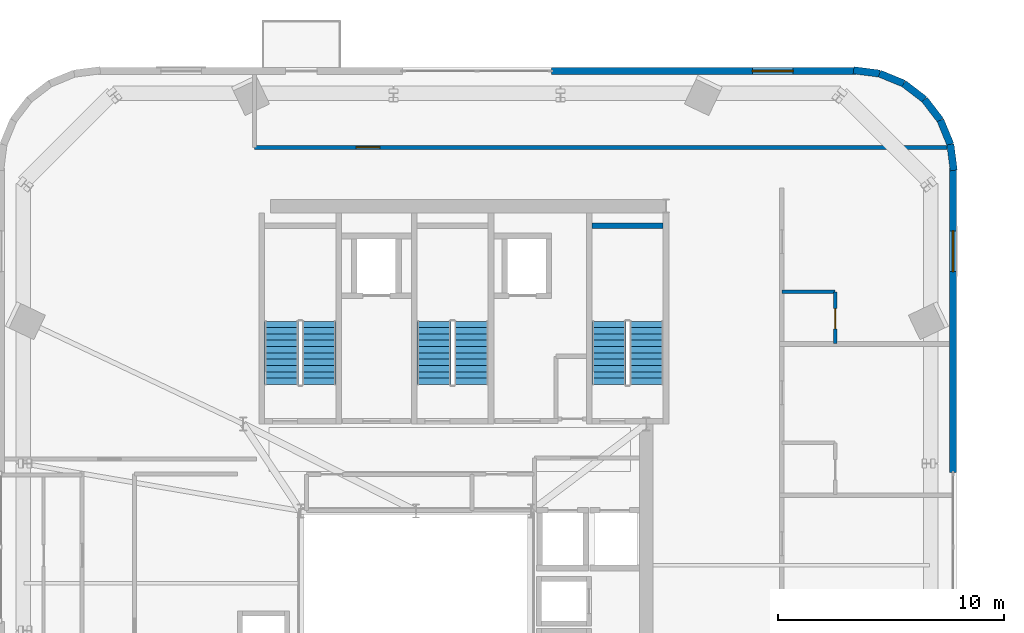
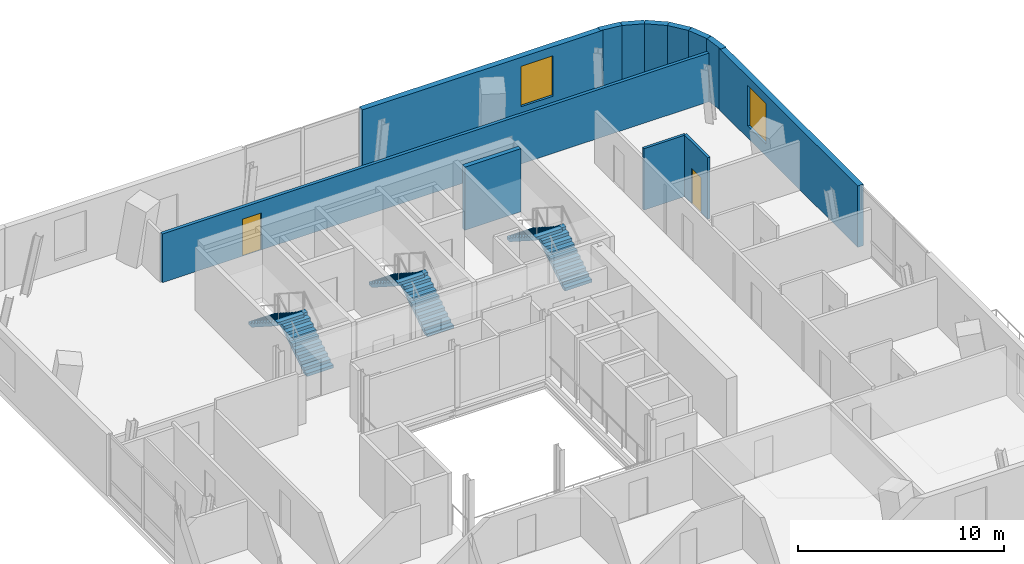
# One storey, part 9 of 14: 12 walls, 6 stair flights, 2 doors, 2 windows, 4 openings, 3 elements without a shape of their own.
"""IFC4 building model written with IfcOpenShell, lengths in metres."""

from ifc_helpers import new_model, si_unit, direction, frame, frame_2d, origin, place, context, subcontext, project, spatial, polyline, rectangle, outline, extrude, source, transform, mapped, material, layer, layer_set, type_object, element, fill, aggregate, save


model = new_model("IFC4")

# Units and contexts
model_context = context("Model", 3, precision=1e-05, world=origin(), true_north=direction((0.0, 1.0)))
body_context = subcontext(model_context, "Body", "Model", "MODEL_VIEW")
ifc_project = project(units=[si_unit("LENGTHUNIT", "METRE"), si_unit("AREAUNIT", "SQUARE_METRE"), si_unit("VOLUMEUNIT", "CUBIC_METRE"), si_unit("PLANEANGLEUNIT", "RADIAN"), si_unit("MASSUNIT", "GRAM", prefix="KILO")], contexts=[model_context])

# Site, building, storey
site_placement = place(None, origin())
site = spatial("IfcSite", under=ifc_project, at=site_placement, CompositionType="ELEMENT")
building_placement = place(site_placement, origin())
building = spatial("IfcBuilding", under=site, at=building_placement, Name="Vardaveli Station Tower", CompositionType="ELEMENT")
storey_placement = place(building_placement, frame((0.0, 0.0, 270.35009765625)))
storey = spatial("IfcBuildingStorey", under=building, at=storey_placement, Name="L69", CompositionType="ELEMENT", Elevation=270.35009765625)

# Wall, opening, window
ifc_material_1 = material(Name="Precast concrete C45/55", Category="concrete")
ifc_layer_1 = layer(ifc_material_1, 0.320068359375, Name="Precast concrete C45/55")
ifc_layer_set_1 = layer_set([ifc_layer_1], Name="Precast concrete C45/55")
wall_type_1 = type_object("IfcWallType", Name="WAL-EXT-STONE-320", PredefinedType="SOLIDWALL", material=ifc_layer_set_1)
shared_shape_1 = source(origin(), body_context, "Body", "SweptSolid", [
    extrude(rectangle(XDim=13.47998046875, YDim=0.320068359375, at=frame_2d((6.739990234375, 0.0))), origin(), (0.0, 0.0, 1.0), 3.64990234375),
])
wall_1_placement = place(storey_placement, frame((55.780029296875, 46.280029296875, 0.0), z_axis=(0.0, 0.0, 1.0), x_axis=(-1.0, 0.0, 0.0)))
wall_1 = element("IfcWall", 1, at=wall_1_placement, inside=storey, type_object=wall_type_1, Name="EW-L69-N1", PredefinedType="SOLIDWALL", context=body_context, shape_type="MappedRepresentation", body=[
    mapped(shared_shape_1, transform((0.0, 0.0, 0.0), scale=1.0)),
])
shared_shape_2 = source(origin(), body_context, "Body", "SweptSolid", [
    extrude(rectangle(XDim=1.800048828125, YDim=2.39990234375, at=frame_2d((0.89990234375, 1.199951171875))), frame((0.0, 0.169921875, 0.0), z_axis=(0.0, -1.0, 0.0), x_axis=(1.0, 0.0, 0.0)), (0.0, 0.0, 1.0), 0.340087890625),
])
opening_1_placement = place(wall_1_placement, frame((2.781005859375, 0.0, 0.719970703125)))
opening_1 = element("IfcOpeningElement", 2, at=opening_1_placement, cuts=wall_1, Name="Opening W-05", PredefinedType="OPENING", context=body_context, shape_type="MappedRepresentation", body=[
    mapped(shared_shape_2, transform((0.0, 0.0, 0.0), scale=1.0)),
])
ifc_material_2 = material(Name="Low-E solar-control glass", Category="glass")
window_type = type_object("IfcWindowType", Name="WIN-HIGH-1800x2400", PartitioningType="SINGLE_PANEL", PredefinedType="WINDOW", material=ifc_material_2)
shared_shape_3 = source(origin(), body_context, "Body", "SweptSolid", [
    extrude(rectangle(XDim=1.800048828125, YDim=2.39990234375, at=frame_2d((0.89990234375, 1.199951171875))), frame((0.0, 0.030029296875, 0.0), z_axis=(0.0, -1.0, 0.0), x_axis=(1.0, 0.0, 0.0)), (0.0, 0.0, 1.0), 0.06005859375),
])
window_1_placement = place(opening_1_placement, origin())
window_1 = element("IfcWindow", 3, at=window_1_placement, inside=storey, type_object=window_type, Name="WN-L69-N1", OverallHeight=2.39990234375, OverallWidth=1.800048828125, PartitioningType="SINGLE_PANEL", PredefinedType="WINDOW", context=body_context, shape_type="MappedRepresentation", body=[
    mapped(shared_shape_3, transform((0.0, 0.0, 0.0), scale=1.0)),
])
fill(opening_1, window_1)

wall_2_placement = place(storey_placement, frame((60.080078125, 28.5, 0.0), z_axis=(0.0, 0.0, 1.0), x_axis=(0.0, 1.0, 0.0)))
wall_2 = element("IfcWall", 4, at=wall_2_placement, inside=storey, type_object=wall_type_1, Name="EW-L69-E2", PredefinedType="SOLIDWALL", context=body_context, shape_type="MappedRepresentation", body=[
    mapped(shared_shape_1, transform((0.0, 0.0, 0.0), scale=1.0)),
])
opening_2_placement = place(wall_2_placement, frame((8.89892578125, 0.0, 0.719970703125)))
opening_2 = element("IfcOpeningElement", 5, at=opening_2_placement, cuts=wall_2, Name="Opening W-05", PredefinedType="OPENING", context=body_context, shape_type="MappedRepresentation", body=[
    mapped(shared_shape_2, transform((0.0, 0.0, 0.0), scale=1.0)),
])
window_2_placement = place(opening_2_placement, origin())
window_2 = element("IfcWindow", 6, at=window_2_placement, inside=storey, type_object=window_type, Name="WN-L69-E2", OverallHeight=2.39990234375, OverallWidth=1.800048828125, PartitioningType="SINGLE_PANEL", PredefinedType="WINDOW", context=body_context, shape_type="MappedRepresentation", body=[
    mapped(shared_shape_3, transform((0.0, 0.0, 0.0), scale=1.0)),
])
fill(opening_2, window_2)

# Walls
shared_shape_4 = source(origin(), body_context, "Body", "SweptSolid", [
    extrude(rectangle(XDim=1.159423828125, YDim=0.320068359375, at=frame_2d((0.57958984375, 0.0))), origin(), (0.0, 0.0, 1.0), 3.64990234375),
])
wall_3_placement = place(storey_placement, frame((60.114501953125, 41.880859375, 0.0), z_axis=(0.0, 0.0, 1.0), x_axis=(-0.128024787431, 0.991770968421, 0.0)))
element("IfcWall", 7, at=wall_3_placement, inside=storey, type_object=wall_type_1, Name="EW-L69-CR3-1", PredefinedType="SOLIDWALL", context=body_context, shape_type="MappedRepresentation", body=[
    mapped(shared_shape_4, transform((0.0, 0.0, 0.0), scale=1.0)),
])
shared_shape_5 = source(origin(), body_context, "Body", "SweptSolid", [
    extrude(rectangle(XDim=1.158447265625, YDim=0.320068359375, at=frame_2d((0.5791015625, 0.0))), origin(), (0.0, 0.0, 1.0), 3.64990234375),
])
wall_4_placement = place(storey_placement, frame((57.901611328125, 45.724853515625, 0.0), z_axis=(0.0, 0.0, 1.0), x_axis=(-0.924560208776, 0.38103598301, 0.0)))
element("IfcWall", 8, at=wall_4_placement, inside=storey, type_object=wall_type_1, Name="EW-L69-CR3-5", PredefinedType="SOLIDWALL", context=body_context, shape_type="MappedRepresentation", body=[
    mapped(shared_shape_5, transform((0.0, 0.0, 0.0), scale=1.0)),
])
shared_shape_6 = source(origin(), body_context, "Body", "SweptSolid", [
    extrude(rectangle(XDim=1.15771484375, YDim=0.320068359375, at=frame_2d((0.578857421875, 0.0))), origin(), (0.0, 0.0, 1.0), 3.64990234375),
])
for number, where, z_axis, x_axis, name in (
    (9, (59.524658203125, 44.1015625, 0.0), (0.0, 0.0, 1.0), (-0.608201297311, 0.793782830471, 0.0), "EW-L69-CR3-3"),
    (10, (58.820556640625, 45.0205078125, 0.0), (0.0, 0.0, 1.0), (-0.793681019903, 0.608334150484, 0.0), "EW-L69-CR3-4"),
):
    element("IfcWall", number, at=place(storey_placement, frame(where, z_axis=z_axis, x_axis=x_axis)), inside=storey, type_object=wall_type_1, Name=name, PredefinedType="SOLIDWALL", context=body_context, shape_type="MappedRepresentation", body=[
        mapped(shared_shape_6, transform((0.0, 0.0, 0.0), scale=1.0)),
    ])
shared_shape_7 = source(origin(), body_context, "Body", "SweptSolid", [
    extrude(rectangle(XDim=1.1591796875, YDim=0.320068359375, at=frame_2d((0.57958984375, 0.0))), origin(), (0.0, 0.0, 1.0), 3.64990234375),
])
wall_5_placement = place(storey_placement, frame((56.83056640625, 46.166259765625, 0.0), z_axis=(0.0, 0.0, 1.0), x_axis=(-0.991794242204, 0.127844362926, 0.0)))
element("IfcWall", 11, at=wall_5_placement, inside=storey, type_object=wall_type_1, Name="EW-L69-CR3-6", PredefinedType="SOLIDWALL", context=body_context, shape_type="MappedRepresentation", body=[
    mapped(shared_shape_7, transform((0.0, 0.0, 0.0), scale=1.0)),
])
shared_shape_8 = source(origin(), body_context, "Body", "SweptSolid", [
    extrude(rectangle(XDim=1.158203125, YDim=0.320068359375, at=frame_2d((0.5791015625, 0.0))), origin(), (0.0, 0.0, 1.0), 3.64990234375),
])
wall_6_placement = place(storey_placement, frame((59.966064453125, 43.03076171875, 0.0), z_axis=(0.0, 0.0, 1.0), x_axis=(-0.381110241514, 0.924529601372, 0.0)))
element("IfcWall", 12, at=wall_6_placement, inside=storey, type_object=wall_type_1, Name="EW-L69-CR3-2", PredefinedType="SOLIDWALL", context=body_context, shape_type="MappedRepresentation", body=[
    mapped(shared_shape_8, transform((0.0, 0.0, 0.0), scale=1.0)),
])
ifc_material_3 = material(Name="Concrete C40/50", Category="concrete")
ifc_layer_2 = layer(ifc_material_3, 0.25, Name="Concrete C40/50")
ifc_layer_set_2 = layer_set([ifc_layer_2], Name="Concrete C40/50")
wall_type_2 = type_object("IfcWallType", Name="WAL-SHAFT-250", PredefinedType="SOLIDWALL", material=ifc_layer_set_2)
shared_shape_9 = source(origin(), body_context, "Body", "SweptSolid", [
    extrude(rectangle(XDim=3.14990234375, YDim=0.25, at=frame_2d((1.574951171875, 0.0))), origin(), (0.0, 0.0, 1.0), 3.75),
])
wall_7_placement = place(storey_placement, frame((44.10009765625, 39.425048828125, 0.0), z_axis=(0.0, 0.0, 1.0), x_axis=(1.0, 0.0, 0.0)))
element("IfcWall", 13, at=wall_7_placement, inside=storey, type_object=wall_type_2, Name="W-L69-ST-3N", PredefinedType="SOLIDWALL", context=body_context, shape_type="MappedRepresentation", body=[
    mapped(shared_shape_9, transform((0.0, 0.0, 0.0), scale=1.0)),
])
ifc_material_4 = material(Name="Moisture-resistant stud partition")
ifc_layer_3 = layer(ifc_material_4, 0.14990234375, Name="Moisture-resistant stud partition")
ifc_layer_set_3 = layer_set([ifc_layer_3], Name="Moisture-resistant stud partition")
wall_type_3 = type_object("IfcWallType", Name="WAL-WET-150", PredefinedType="PARTITIONING", material=ifc_layer_set_3)
shared_shape_10 = source(origin(), body_context, "Body", "SweptSolid", [
    extrude(rectangle(XDim=2.360107421875, YDim=0.14990234375, at=frame_2d((1.18017578125, 0.0))), origin(), (0.0, 0.0, 1.0), 3.64990234375),
])
wall_8_placement = place(storey_placement, frame((52.5, 36.5029296875, 0.0), z_axis=(0.0, 0.0, 1.0), x_axis=(1.0, 0.0, 0.0)))
element("IfcWall", 14, at=wall_8_placement, inside=storey, type_object=wall_type_3, Name="W-L69-BE4-N", PredefinedType="PARTITIONING", context=body_context, shape_type="MappedRepresentation", body=[
    mapped(shared_shape_10, transform((0.0, 0.0, 0.0), scale=1.0)),
])

# Wall, opening, door
shared_shape_11 = source(origin(), body_context, "Body", "SweptSolid", [
    extrude(rectangle(XDim=2.2900390625, YDim=0.14990234375, at=frame_2d((1.14501953125, 0.0))), origin(), (0.0, 0.0, 1.0), 3.64990234375),
])
wall_9_placement = place(storey_placement, frame((54.860107421875, 34.212890625, 0.0), z_axis=(0.0, 0.0, 1.0), x_axis=(0.0, 1.0, 0.0)))
wall_9 = element("IfcWall", 15, at=wall_9_placement, inside=storey, type_object=wall_type_3, Name="W-L69-BE4-E", PredefinedType="PARTITIONING", context=body_context, shape_type="MappedRepresentation", body=[
    mapped(shared_shape_11, transform((0.0, 0.0, 0.0), scale=1.0)),
])
shared_shape_12 = source(origin(), body_context, "Body", "SweptSolid", [
    extrude(rectangle(XDim=0.89990234375, YDim=2.10009765625, at=frame_2d((0.449951171875, 1.050048828125))), frame((0.0, 0.0849609375, 0.0), z_axis=(0.0, -1.0, 0.0), x_axis=(1.0, 0.0, 0.0)), (0.0, 0.0, 1.0), 0.169921875),
])
opening_3_placement = place(wall_9_placement, frame((0.64990234375, 0.0, 0.0)))
opening_3 = element("IfcOpeningElement", 16, at=opening_3_placement, cuts=wall_9, Name="Opening D-08", PredefinedType="OPENING", context=body_context, shape_type="MappedRepresentation", body=[
    mapped(shared_shape_12, transform((0.0, 0.0, 0.0), scale=1.0)),
])
ifc_material_5 = material(Name="Moisture-resistant oak door")
door_type_1 = type_object("IfcDoorType", Name="DR-BATH-900x2100", OperationType="NOTDEFINED", PredefinedType="DOOR", material=ifc_material_5)
shared_shape_13 = source(origin(), body_context, "Body", "SweptSolid", [
    extrude(rectangle(XDim=0.89990234375, YDim=2.10009765625, at=frame_2d((0.449951171875, 1.050048828125))), frame((0.0, 0.02490234375, 0.0), z_axis=(0.0, -1.0, 0.0), x_axis=(1.0, 0.0, 0.0)), (0.0, 0.0, 1.0), 0.050048828125),
])
door_1_placement = place(opening_3_placement, origin())
door_1 = element("IfcDoor", 17, at=door_1_placement, inside=storey, type_object=door_type_1, Name="D-L69-BE4", OperationType="SINGLE_SWING_RIGHT", OverallHeight=2.10009765625, OverallWidth=0.89990234375, PredefinedType="DOOR", context=body_context, shape_type="MappedRepresentation", body=[
    mapped(shared_shape_13, transform((0.0, 0.0, 0.0), scale=1.0)),
])
fill(opening_3, door_1)

ifc_material_6 = material(Name="Fire-rated gypsum stud partition")
ifc_layer_4 = layer(ifc_material_6, 0.179931640625, Name="Fire-rated gypsum stud partition")
ifc_layer_set_4 = layer_set([ifc_layer_4], Name="Fire-rated gypsum stud partition")
wall_type_4 = type_object("IfcWallType", Name="WAL-CORR-180", PredefinedType="PARTITIONING", material=ifc_layer_set_4)
shared_shape_14 = source(origin(), body_context, "Body", "SweptSolid", [
    extrude(rectangle(XDim=30.669677734375, YDim=0.179931640625, at=frame_2d((15.3349609375, 0.0))), origin(), (0.0, 0.0, 1.0), 2.891845703125),
])
wall_10_placement = place(storey_placement, frame((29.14990234375, 42.89990234375, 0.0), z_axis=(0.0, 0.0, 1.0), x_axis=(1.0, 0.0, 0.0)))
wall_10 = element("IfcWall", 18, at=wall_10_placement, inside=storey, type_object=wall_type_4, Name="W-L69-NPS", PredefinedType="PARTITIONING", context=body_context, shape_type="MappedRepresentation", body=[
    mapped(shared_shape_14, transform((0.0, 0.0, 0.0), scale=1.0)),
])
shared_shape_15 = source(origin(), body_context, "Body", "SweptSolid", [
    extrude(rectangle(XDim=1.050048828125, YDim=2.199951171875, at=frame_2d((0.52490234375, 1.10009765625))), frame((0.0, 0.10009765625, 0.0), z_axis=(0.0, -1.0, 0.0), x_axis=(1.0, 0.0, 0.0)), (0.0, 0.0, 1.0), 0.199951171875),
])
opening_4_placement = place(wall_10_placement, frame((4.5, 0.0, 0.0)))
opening_4 = element("IfcOpeningElement", 19, at=opening_4_placement, cuts=wall_10, Name="Opening D-05", PredefinedType="OPENING", context=body_context, shape_type="MappedRepresentation", body=[
    mapped(shared_shape_15, transform((0.0, 0.0, 0.0), scale=1.0)),
])
ifc_material_7 = material(Name="Walnut veneer acoustic fire door")
door_type_2 = type_object("IfcDoorType", Name="DR-SUITE-1050x2200", OperationType="NOTDEFINED", PredefinedType="DOOR", material=ifc_material_7)
shared_shape_16 = source(origin(), body_context, "Body", "SweptSolid", [
    extrude(rectangle(XDim=1.050048828125, YDim=2.199951171875, at=frame_2d((0.52490234375, 1.10009765625))), frame((0.0, 0.02490234375, 0.0), z_axis=(0.0, -1.0, 0.0), x_axis=(1.0, 0.0, 0.0)), (0.0, 0.0, 1.0), 0.050048828125),
])
door_2_placement = place(opening_4_placement, origin())
door_2 = element("IfcDoor", 20, at=door_2_placement, inside=storey, type_object=door_type_2, Name="D-L69-NP1", OperationType="SINGLE_SWING_RIGHT", OverallHeight=2.199951171875, OverallWidth=1.050048828125, PredefinedType="DOOR", context=body_context, shape_type="MappedRepresentation", body=[
    mapped(shared_shape_16, transform((0.0, 0.0, 0.0), scale=1.0)),
])
fill(opening_4, door_2)

# Stair, stair flights
stair_type = type_object("IfcStairType", Name="STR-CORE-1500", PredefinedType="HALF_TURN_STAIR", material=ifc_material_3)
stair_1_placement = place(storey_placement, origin())
stair_1 = element("IfcStair", 21, at=stair_1_placement, inside=storey, type_object=stair_type, Name="L69 ST-1", PredefinedType="HALF_TURN_STAIR")
stair_flight_type = type_object("IfcStairFlightType", Name="SFL-CORE-1500", PredefinedType="STRAIGHT", material=ifc_material_3)
shared_shape_17 = source(origin(), body_context, "Body", "SweptSolid", [
    extrude(outline(polyline([(0.0, 0.0), (0.0, 0.179443359375), (0.280029296875, 0.179443359375), (0.280029296875, 0.359130859375), (0.56005859375, 0.359130859375), (0.56005859375, 0.53857421875), (0.840087890625, 0.53857421875), (0.840087890625, 0.71826171875), (1.1201171875, 0.71826171875), (1.1201171875, 0.897705078125), (1.39990234375, 0.897705078125), (1.39990234375, 1.077392578125), (1.679931640625, 1.077392578125), (1.679931640625, 1.2568359375), (1.9599609375, 1.2568359375), (1.9599609375, 1.436279296875), (2.239990234375, 1.436279296875), (2.239990234375, 1.615966796875), (2.52001953125, 1.615966796875), (2.52001953125, 1.79541015625), (2.800048828125, 1.79541015625), (2.800048828125, 1.97509765625), (2.800048828125, 1.617431640625), (0.277587890625, 0.0), (0.0, 0.0)])), frame((0.0, 0.75, 0.0), z_axis=(0.0, -1.0, 0.0), x_axis=(1.0, 0.0, 0.0)), (0.0, 0.0, 1.0), 1.5),
])
stair_flight_1_placement = place(storey_placement, frame((32.0, 32.39990234375, 0.0), z_axis=(0.0, 0.0, 1.0), x_axis=(0.0, 1.0, 0.0)))
stair_flight_1 = element("IfcStairFlight", 22, at=stair_flight_1_placement, type_object=stair_flight_type, Name="ST-1 flight 1", NumberOfRisers=11, NumberOfTreads=10, PredefinedType="STRAIGHT", RiserHeight=0.179545455, TreadLength=0.28, context=body_context, shape_type="MappedRepresentation", body=[
    mapped(shared_shape_17, transform((0.0, 0.0, 0.0), scale=1.0)),
])
stair_flight_2_placement = place(storey_placement, frame((30.35009765625, 35.199951171875, 1.974853515625), z_axis=(0.0, 0.0, 1.0), x_axis=(0.0, -1.0, 0.0)))
stair_flight_2 = element("IfcStairFlight", 23, at=stair_flight_2_placement, type_object=stair_flight_type, Name="ST-1 flight 2", NumberOfRisers=11, NumberOfTreads=10, PredefinedType="STRAIGHT", RiserHeight=0.179545455, TreadLength=0.28, context=body_context, shape_type="MappedRepresentation", body=[
    mapped(shared_shape_17, transform((0.0, 0.0, 0.0), scale=1.0)),
])
aggregate(stair_1, [stair_flight_1, stair_flight_2])

stair_2_placement = place(storey_placement, origin())
stair_2 = element("IfcStair", 24, at=stair_2_placement, inside=storey, type_object=stair_type, Name="L69 ST-2", PredefinedType="HALF_TURN_STAIR")
stair_flight_3_placement = place(storey_placement, frame((38.75, 32.39990234375, 0.0), z_axis=(0.0, 0.0, 1.0), x_axis=(0.0, 1.0, 0.0)))
stair_flight_3 = element("IfcStairFlight", 25, at=stair_flight_3_placement, type_object=stair_flight_type, Name="ST-2 flight 1", NumberOfRisers=11, NumberOfTreads=10, PredefinedType="STRAIGHT", RiserHeight=0.179545455, TreadLength=0.28, context=body_context, shape_type="MappedRepresentation", body=[
    mapped(shared_shape_17, transform((0.0, 0.0, 0.0), scale=1.0)),
])
stair_flight_4_placement = place(storey_placement, frame((37.10009765625, 35.199951171875, 1.974853515625), z_axis=(0.0, 0.0, 1.0), x_axis=(0.0, -1.0, 0.0)))
stair_flight_4 = element("IfcStairFlight", 26, at=stair_flight_4_placement, type_object=stair_flight_type, Name="ST-2 flight 2", NumberOfRisers=11, NumberOfTreads=10, PredefinedType="STRAIGHT", RiserHeight=0.179545455, TreadLength=0.28, context=body_context, shape_type="MappedRepresentation", body=[
    mapped(shared_shape_17, transform((0.0, 0.0, 0.0), scale=1.0)),
])
aggregate(stair_2, [stair_flight_3, stair_flight_4])

stair_3_placement = place(storey_placement, origin())
stair_3 = element("IfcStair", 27, at=stair_3_placement, inside=storey, type_object=stair_type, Name="L69 ST-3", PredefinedType="HALF_TURN_STAIR")
stair_flight_5_placement = place(storey_placement, frame((46.5, 32.39990234375, 0.0), z_axis=(0.0, 0.0, 1.0), x_axis=(0.0, 1.0, 0.0)))
stair_flight_5 = element("IfcStairFlight", 28, at=stair_flight_5_placement, type_object=stair_flight_type, Name="ST-3 flight 1", NumberOfRisers=11, NumberOfTreads=10, PredefinedType="STRAIGHT", RiserHeight=0.179545455, TreadLength=0.28, context=body_context, shape_type="MappedRepresentation", body=[
    mapped(shared_shape_17, transform((0.0, 0.0, 0.0), scale=1.0)),
])
stair_flight_6_placement = place(storey_placement, frame((44.85009765625, 35.199951171875, 1.974853515625), z_axis=(0.0, 0.0, 1.0), x_axis=(0.0, -1.0, 0.0)))
stair_flight_6 = element("IfcStairFlight", 29, at=stair_flight_6_placement, type_object=stair_flight_type, Name="ST-3 flight 2", NumberOfRisers=11, NumberOfTreads=10, PredefinedType="STRAIGHT", RiserHeight=0.179545455, TreadLength=0.28, context=body_context, shape_type="MappedRepresentation", body=[
    mapped(shared_shape_17, transform((0.0, 0.0, 0.0), scale=1.0)),
])
aggregate(stair_3, [stair_flight_5, stair_flight_6])

save(model, "model.ifc")
